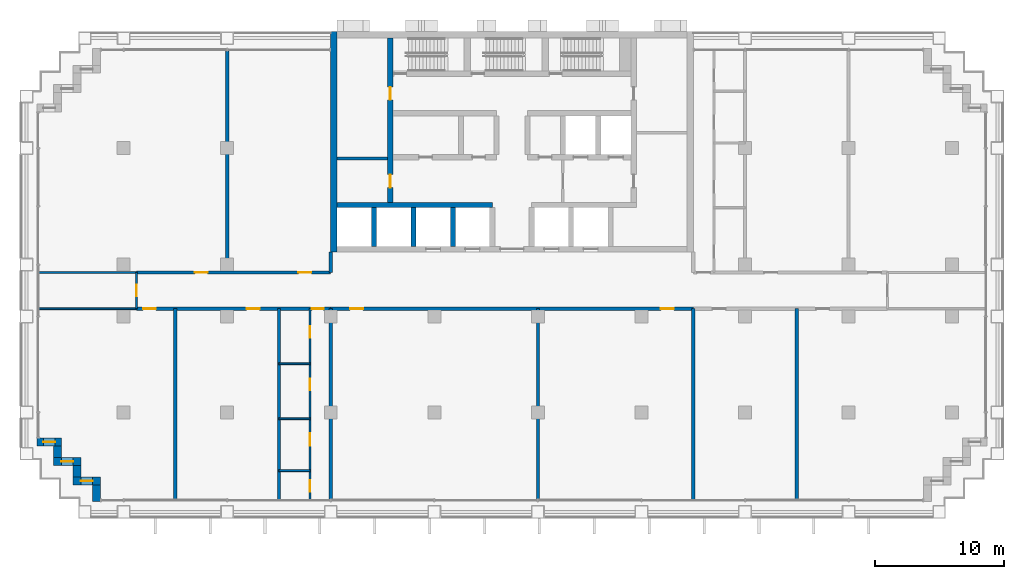
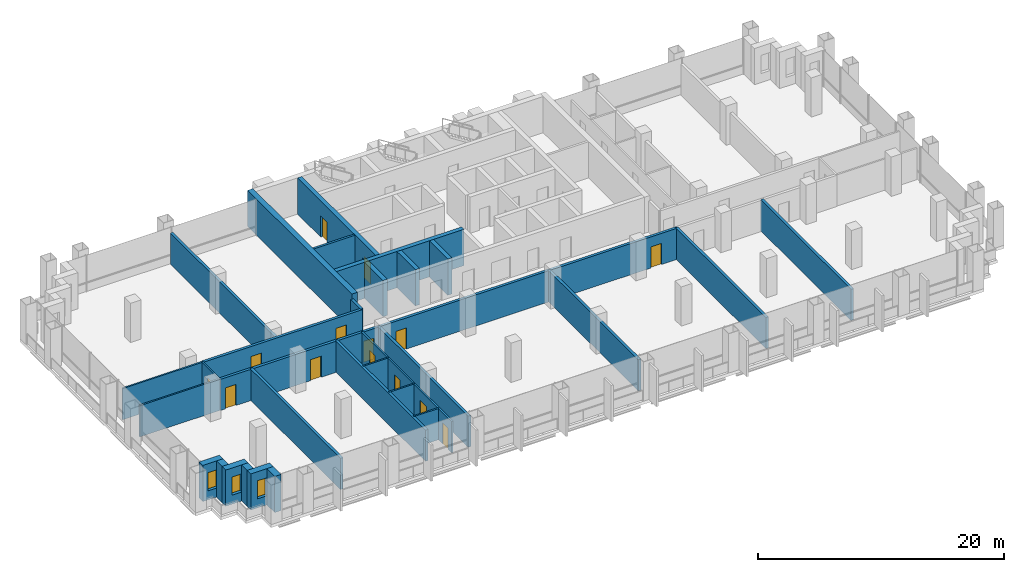
# One storey, part 7 of 13: 31 walls, 14 doors, 3 windows, 17 openings.
"""IFC4 building model written with IfcOpenShell, lengths in metres."""

from ifc_helpers import new_model, si_unit, direction, frame, frame_2d, origin, place, context, subcontext, project, spatial, rectangle, extrude, material, layer, layer_set, type_object, element, fill, save


model = new_model("IFC4")

# Units and contexts
model_context = context("Model", 3, precision=1e-05, world=origin(), true_north=direction((0.0, 1.0)))
body_context = subcontext(model_context, "Body", "Model", "MODEL_VIEW")
ifc_project = project(units=[si_unit("LENGTHUNIT", "METRE"), si_unit("AREAUNIT", "SQUARE_METRE"), si_unit("VOLUMEUNIT", "CUBIC_METRE"), si_unit("PLANEANGLEUNIT", "RADIAN"), si_unit("MASSUNIT", "GRAM", prefix="KILO")], contexts=[model_context])

# Site, building, storey
site_placement = place(None, origin())
site = spatial("IfcSite", under=ifc_project, at=site_placement, CompositionType="ELEMENT")
building_placement = place(site_placement, origin())
building = spatial("IfcBuilding", under=site, at=building_placement, Name="Vidyagriha Tower", CompositionType="ELEMENT")
storey_placement = place(building_placement, frame((0.0, 0.0, 29.89990234375)))
storey = spatial("IfcBuildingStorey", under=building, at=storey_placement, Name="L07", CompositionType="ELEMENT", Elevation=29.89990234375)

# Wall, opening, window
ifc_material_1 = material(Name="Precast concrete C40/50 with brick facing", Category="concrete")
ifc_layer_1 = layer(ifc_material_1, 0.60009765625)
ifc_layer_set_1 = layer_set([ifc_layer_1], Name="Precast concrete C40/50 with brick facing")
wall_type_1 = type_object("IfcWallType", Name="Brick-faced precast wall 600", PredefinedType="STANDARD", material=ifc_layer_set_1)
wall_1_placement = place(storey_placement, frame((-36.679931640625, -11.699951171875, 0.0)))
wall_1 = element("IfcWall", 1, at=wall_1_placement, inside=storey, type_object=wall_type_1, Name="Stepped corner wall L07 R17", PredefinedType="STANDARD", context=body_context, shape_type="SweptSolid", body=[
    extrude(rectangle(XDim=1.8798828125, YDim=0.60009765625, at=frame_2d((0.93994140625, 0.0))), origin(), (0.0, 0.0, 1.0), 3.60009765625),
])
opening_1_placement = place(wall_1_placement, frame((0.489990234375, 0.0, 0.89990234375)))
opening_1 = element("IfcOpeningElement", 2, at=opening_1_placement, cuts=wall_1, Name="Opening WN2", PredefinedType="OPENING", context=body_context, shape_type="SweptSolid", body=[
    extrude(rectangle(XDim=0.89990234375, YDim=1.800048828125, at=frame_2d((0.449951171875, 0.89990234375))), frame((0.0, 0.31005859375, 0.0), z_axis=(0.0, -1.0, 0.0), x_axis=(1.0, 0.0, 0.0)), (0.0, 0.0, 1.0), 0.6201171875),
])
ifc_material_2 = material(Name="Aluminium and glass window", Category="aluminium")
window_type = type_object("IfcWindowType", Name="Reveal window 900x1800", PartitioningType="NOTDEFINED", PredefinedType="WINDOW", material=ifc_material_2)
window_1_placement = place(opening_1_placement, origin())
window_1 = element("IfcWindow", 3, at=window_1_placement, inside=storey, type_object=window_type, Name="Reveal window L07 R17", OverallHeight=1.800048828125, OverallWidth=0.89990234375, PartitioningType="SINGLE_PANEL", PredefinedType="WINDOW", context=body_context, shape_type="SweptSolid", body=[
    extrude(rectangle(XDim=0.89990234375, YDim=1.800048828125, at=frame_2d((0.449951171875, 0.89990234375))), frame((0.0, 0.030029296875, 0.0), z_axis=(0.0, -1.0, 0.0), x_axis=(1.0, 0.0, 0.0)), (0.0, 0.0, 1.0), 0.06005859375),
])
fill(opening_1, window_1)

# Wall
wall_2_placement = place(storey_placement, frame((-35.10009765625, -12.0, 0.0), z_axis=(0.0, 0.0, 1.0), x_axis=(0.0, -1.0, 0.0)))
element("IfcWall", 4, at=wall_2_placement, inside=storey, type_object=wall_type_1, Name="Stepped corner wall L07 R18", PredefinedType="STANDARD", context=body_context, shape_type="SweptSolid", body=[
    extrude(rectangle(XDim=0.89990234375, YDim=0.60009765625, at=frame_2d((0.449951171875, 0.0))), origin(), (0.0, 0.0, 1.0), 3.60009765625),
])

# Wall, opening, window
wall_3_placement = place(storey_placement, frame((-35.39990234375, -13.199951171875, 0.0)))
wall_3 = element("IfcWall", 5, at=wall_3_placement, inside=storey, type_object=wall_type_1, Name="Stepped corner wall L07 R19", PredefinedType="STANDARD", context=body_context, shape_type="SweptSolid", body=[
    extrude(rectangle(XDim=2.099853515625, YDim=0.60009765625, at=frame_2d((1.0498046875, 0.0))), origin(), (0.0, 0.0, 1.0), 3.60009765625),
])
opening_2_placement = place(wall_3_placement, frame((0.60009765625, 0.0, 0.89990234375)))
opening_2 = element("IfcOpeningElement", 6, at=opening_2_placement, cuts=wall_3, Name="Opening WN2", PredefinedType="OPENING", context=body_context, shape_type="SweptSolid", body=[
    extrude(rectangle(XDim=0.89990234375, YDim=1.800048828125, at=frame_2d((0.449951171875, 0.89990234375))), frame((0.0, 0.31005859375, 0.0), z_axis=(0.0, -1.0, 0.0), x_axis=(1.0, 0.0, 0.0)), (0.0, 0.0, 1.0), 0.6201171875),
])
window_2_placement = place(opening_2_placement, origin())
window_2 = element("IfcWindow", 7, at=window_2_placement, inside=storey, type_object=window_type, Name="Reveal window L07 R19", OverallHeight=1.800048828125, OverallWidth=0.89990234375, PartitioningType="SINGLE_PANEL", PredefinedType="WINDOW", context=body_context, shape_type="SweptSolid", body=[
    extrude(rectangle(XDim=0.89990234375, YDim=1.800048828125, at=frame_2d((0.449951171875, 0.89990234375))), frame((0.0, 0.030029296875, 0.0), z_axis=(0.0, -1.0, 0.0), x_axis=(1.0, 0.0, 0.0)), (0.0, 0.0, 1.0), 0.06005859375),
])
fill(opening_2, window_2)

# Wall
wall_4_placement = place(storey_placement, frame((-33.60009765625, -13.5, 0.0), z_axis=(0.0, 0.0, 1.0), x_axis=(0.0, -1.0, 0.0)))
element("IfcWall", 8, at=wall_4_placement, inside=storey, type_object=wall_type_1, Name="Stepped corner wall L07 R20", PredefinedType="STANDARD", context=body_context, shape_type="SweptSolid", body=[
    extrude(rectangle(XDim=0.89990234375, YDim=0.60009765625, at=frame_2d((0.449951171875, 0.0))), origin(), (0.0, 0.0, 1.0), 3.60009765625),
])

# Wall, opening, window
wall_5_placement = place(storey_placement, frame((-33.89990234375, -14.699951171875, 0.0)))
wall_5 = element("IfcWall", 9, at=wall_5_placement, inside=storey, type_object=wall_type_1, Name="Stepped corner wall L07 R21", PredefinedType="STANDARD", context=body_context, shape_type="SweptSolid", body=[
    extrude(rectangle(XDim=2.099853515625, YDim=0.60009765625, at=frame_2d((1.0498046875, 0.0))), origin(), (0.0, 0.0, 1.0), 3.60009765625),
])
opening_3_placement = place(wall_5_placement, frame((0.60009765625, 0.0, 0.89990234375)))
opening_3 = element("IfcOpeningElement", 10, at=opening_3_placement, cuts=wall_5, Name="Opening WN2", PredefinedType="OPENING", context=body_context, shape_type="SweptSolid", body=[
    extrude(rectangle(XDim=0.89990234375, YDim=1.800048828125, at=frame_2d((0.449951171875, 0.89990234375))), frame((0.0, 0.31005859375, 0.0), z_axis=(0.0, -1.0, 0.0), x_axis=(1.0, 0.0, 0.0)), (0.0, 0.0, 1.0), 0.6201171875),
])
window_3_placement = place(opening_3_placement, origin())
window_3 = element("IfcWindow", 11, at=window_3_placement, inside=storey, type_object=window_type, Name="Reveal window L07 R21", OverallHeight=1.800048828125, OverallWidth=0.89990234375, PartitioningType="SINGLE_PANEL", PredefinedType="WINDOW", context=body_context, shape_type="SweptSolid", body=[
    extrude(rectangle(XDim=0.89990234375, YDim=1.800048828125, at=frame_2d((0.449951171875, 0.89990234375))), frame((0.0, 0.030029296875, 0.0), z_axis=(0.0, -1.0, 0.0), x_axis=(1.0, 0.0, 0.0)), (0.0, 0.0, 1.0), 0.06005859375),
])
fill(opening_3, window_3)

# Wall
wall_6_placement = place(storey_placement, frame((-32.10009765625, -15.0, 0.0), z_axis=(0.0, 0.0, 1.0), x_axis=(0.0, -1.0, 0.0)))
element("IfcWall", 12, at=wall_6_placement, inside=storey, type_object=wall_type_1, Name="Stepped corner wall L07 R22", PredefinedType="STANDARD", context=body_context, shape_type="SweptSolid", body=[
    extrude(rectangle(XDim=1.280029296875, YDim=0.60009765625, at=frame_2d((0.64013671875, 0.0))), origin(), (0.0, 0.0, 1.0), 3.60009765625),
])

# Wall, openings, doors
ifc_material_3 = material(Name="Concrete C60/75", Category="concrete")
ifc_layer_2 = layer(ifc_material_3, 0.39990234375)
ifc_layer_set_2 = layer_set([ifc_layer_2], Name="Concrete C60/75")
wall_type_2 = type_object("IfcWallType", Name="Core shear wall 400 mm", PredefinedType="SHEAR", material=ifc_layer_set_2)
wall_7_placement = place(storey_placement, frame((-9.39990234375, 6.800048828125, 0.0), z_axis=(0.0, 0.0, 1.0), x_axis=(0.0, 1.0, 0.0)))
wall_7 = element("IfcWall", 13, at=wall_7_placement, inside=storey, type_object=wall_type_2, Name="Core west spine wall", PredefinedType="SHEAR", context=body_context, shape_type="SweptSolid", body=[
    extrude(rectangle(XDim=12.699951171875, YDim=0.39990234375, at=frame_2d((6.35009765625, 0.0))), origin(), (0.0, 0.0, 1.0), 3.60009765625),
])
opening_4_placement = place(wall_7_placement, frame((1.14990234375, 0.0, 0.0)))
opening_4 = element("IfcOpeningElement", 14, at=opening_4_placement, cuts=wall_7, Name="Opening D07-09", PredefinedType="OPENING", context=body_context, shape_type="SweptSolid", body=[
    extrude(rectangle(XDim=1.0, YDim=2.10009765625, at=frame_2d((0.5, 1.050048828125))), frame((0.0, 0.2099609375, 0.0), z_axis=(0.0, -1.0, 0.0), x_axis=(1.0, 0.0, 0.0)), (0.0, 0.0, 1.0), 0.419921875),
])
opening_5_placement = place(wall_7_placement, frame((7.925048828125, 0.0, 0.0)))
opening_5 = element("IfcOpeningElement", 15, at=opening_5_placement, cuts=wall_7, Name="Opening D07-10", PredefinedType="OPENING", context=body_context, shape_type="SweptSolid", body=[
    extrude(rectangle(XDim=1.0, YDim=2.10009765625, at=frame_2d((0.5, 1.050048828125))), frame((0.0, 0.2099609375, 0.0), z_axis=(0.0, -1.0, 0.0), x_axis=(1.0, 0.0, 0.0)), (0.0, 0.0, 1.0), 0.419921875),
])
ifc_material_4 = material(Name="Hollow metal door leaf")
door_type_1 = type_object("IfcDoorType", Name="Core room door 1000 x 2100 mm EI 60", OperationType="NOTDEFINED", PredefinedType="DOOR", material=ifc_material_4)
door_1_placement = place(opening_4_placement, frame((1.0, 0.0, 0.0), z_axis=(0.0, 0.0, 1.0), x_axis=(-1.0, 0.0, 0.0)))
door_1 = element("IfcDoor", 16, at=door_1_placement, inside=storey, type_object=door_type_1, Name="Door Electrical Room 07.W1", OperationType="SINGLE_SWING_RIGHT", OverallHeight=2.10009765625, OverallWidth=1.0, PredefinedType="DOOR", context=body_context, shape_type="SweptSolid", body=[
    extrude(rectangle(XDim=1.0, YDim=2.10009765625, at=frame_2d((0.5, 1.050048828125))), frame((0.0, 0.02490234375, 0.0), z_axis=(0.0, -1.0, 0.0), x_axis=(1.0, 0.0, 0.0)), (0.0, 0.0, 1.0), 0.050048828125),
])
fill(opening_4, door_1)
door_2_placement = place(opening_5_placement, frame((1.0, 0.0, 0.0), z_axis=(0.0, 0.0, 1.0), x_axis=(-1.0, 0.0, 0.0)))
door_2 = element("IfcDoor", 17, at=door_2_placement, inside=storey, type_object=door_type_1, Name="Door Refuse Room 07.W2", OperationType="SINGLE_SWING_LEFT", OverallHeight=2.10009765625, OverallWidth=1.0, PredefinedType="DOOR", context=body_context, shape_type="SweptSolid", body=[
    extrude(rectangle(XDim=1.0, YDim=2.10009765625, at=frame_2d((0.5, 1.050048828125))), frame((0.0, 0.02490234375, 0.0), z_axis=(0.0, -1.0, 0.0), x_axis=(1.0, 0.0, 0.0)), (0.0, 0.0, 1.0), 0.050048828125),
])
fill(opening_5, door_2)

# Walls
wall_8_placement = place(storey_placement, frame((-13.5, 6.60009765625, 0.0)))
element("IfcWall", 18, at=wall_8_placement, inside=storey, type_object=wall_type_2, Name="Core lobby south wall west", PredefinedType="SHEAR", context=body_context, shape_type="SweptSolid", body=[
    extrude(rectangle(XDim=11.977783203125, YDim=0.39990234375, at=frame_2d((5.98876953125, 0.0))), origin(), (0.0, 0.0, 1.0), 3.60009765625),
])
for number, where, z_axis, x_axis, name in (
    (19, (-10.655517578125, 3.39990234375, 0.0), (0.0, 0.0, 1.0), (0.0, 1.0, 0.0), "Core bay wall S1"),
    (20, (-7.611083984375, 3.39990234375, 0.0), (0.0, 0.0, 1.0), (0.0, 1.0, 0.0), "Core bay wall S2"),
    (21, (-4.566650390625, 3.39990234375, 0.0), (0.0, 0.0, 1.0), (0.0, 1.0, 0.0), "Core bay wall S3"),
):
    element("IfcWall", number, at=place(storey_placement, frame(where, z_axis=z_axis, x_axis=x_axis)), inside=storey, type_object=wall_type_2, Name=name, PredefinedType="SHEAR", context=body_context, shape_type="SweptSolid", body=[
        extrude(rectangle(XDim=3.0, YDim=0.39990234375, at=frame_2d((1.5, 0.0))), origin(), (0.0, 0.0, 1.0), 3.60009765625),
    ])
ifc_material_5 = material(Name="Concrete C60/75", Category="concrete")
ifc_layer_3 = layer(ifc_material_5, 0.5)
ifc_layer_set_3 = layer_set([ifc_layer_3], Name="Concrete C60/75")
wall_type_3 = type_object("IfcWallType", Name="Core shear wall 500 mm", PredefinedType="SHEAR", material=ifc_layer_set_3)
wall_9_placement = place(storey_placement, frame((-13.75, 3.0, 0.0), z_axis=(0.0, 0.0, 1.0), x_axis=(0.0, 1.0, 0.0)))
element("IfcWall", 22, at=wall_9_placement, inside=storey, type_object=wall_type_3, Name="Core west wall", PredefinedType="SHEAR", context=body_context, shape_type="SweptSolid", body=[
    extrude(rectangle(XDim=17.0, YDim=0.5, at=frame_2d((8.5, 0.0))), origin(), (0.0, 0.0, 1.0), 3.60009765625),
])

# Wall, openings, doors
ifc_material_6 = material(Name="Fired clay brick masonry", Category="masonry")
ifc_layer_4 = layer(ifc_material_6, 0.25)
ifc_layer_set_4 = layer_set([ifc_layer_4], Name="Fired clay brick masonry")
wall_type_4 = type_object("IfcWallType", Name="Fired clay brick corridor wall 250", PredefinedType="PARTITIONING", material=ifc_layer_set_4)
wall_10_placement = place(storey_placement, frame((-14.0, -1.39990234375, 0.0), z_axis=(0.0, 0.0, 1.0), x_axis=(-1.0, 0.0, 0.0)))
wall_10 = element("IfcWall", 23, at=wall_10_placement, inside=storey, type_object=wall_type_4, Name="Wall all-L07-w001", PredefinedType="PARTITIONING", context=body_context, shape_type="SweptSolid", body=[
    extrude(rectangle(XDim=15.0, YDim=0.25, at=frame_2d((7.5, 0.0))), origin(), (0.0, 0.0, 1.0), 3.10009765625),
])
opening_6_placement = place(wall_10_placement, frame((0.554931640625, 0.0, 0.0)))
opening_6 = element("IfcOpeningElement", 24, at=opening_6_placement, cuts=wall_10, Name="Opening D07-17", PredefinedType="OPENING", context=body_context, shape_type="SweptSolid", body=[
    extrude(rectangle(XDim=0.89990234375, YDim=2.10009765625, at=frame_2d((0.449951171875, 1.050048828125))), frame((0.0, 0.135009765625, 0.0), z_axis=(0.0, -1.0, 0.0), x_axis=(1.0, 0.0, 0.0)), (0.0, 0.0, 1.0), 0.27001953125),
])
opening_7_placement = place(wall_10_placement, frame((5.5, 0.0, 0.0)))
opening_7 = element("IfcOpeningElement", 25, at=opening_7_placement, cuts=wall_10, Name="Opening D07-18", PredefinedType="OPENING", context=body_context, shape_type="SweptSolid", body=[
    extrude(rectangle(XDim=1.0, YDim=2.10009765625, at=frame_2d((0.5, 1.050048828125))), frame((0.0, 0.135009765625, 0.0), z_axis=(0.0, -1.0, 0.0), x_axis=(1.0, 0.0, 0.0)), (0.0, 0.0, 1.0), 0.27001953125),
])
opening_8_placement = place(wall_10_placement, frame((13.5, 0.0, 0.0)))
opening_8 = element("IfcOpeningElement", 26, at=opening_8_placement, cuts=wall_10, Name="Opening D07-19", PredefinedType="OPENING", context=body_context, shape_type="SweptSolid", body=[
    extrude(rectangle(XDim=1.0, YDim=2.10009765625, at=frame_2d((0.5, 1.050048828125))), frame((0.0, 0.135009765625, 0.0), z_axis=(0.0, -1.0, 0.0), x_axis=(1.0, 0.0, 0.0)), (0.0, 0.0, 1.0), 0.27001953125),
])
ifc_material_7 = material(Name="Fire-rated timber door leaf EI 60", Category="wood")
door_type_2 = type_object("IfcDoorType", Name="Flat entrance fire door 1000x2100", OperationType="NOTDEFINED", PredefinedType="DOOR", material=ifc_material_7)
door_3_placement = place(opening_7_placement, origin())
door_3 = element("IfcDoor", 27, at=door_3_placement, inside=storey, type_object=door_type_2, Name="Door D07-18", OperationType="SINGLE_SWING_LEFT", OverallHeight=2.10009765625, OverallWidth=1.0, PredefinedType="DOOR", context=body_context, shape_type="SweptSolid", body=[
    extrude(rectangle(XDim=1.0, YDim=2.10009765625, at=frame_2d((0.5, 1.050048828125))), frame((0.0, 0.02490234375, 0.0), z_axis=(0.0, -1.0, 0.0), x_axis=(1.0, 0.0, 0.0)), (0.0, 0.0, 1.0), 0.050048828125),
])
fill(opening_7, door_3)
door_4_placement = place(opening_8_placement, origin())
door_4 = element("IfcDoor", 28, at=door_4_placement, inside=storey, type_object=door_type_2, Name="Door D07-19", OperationType="SINGLE_SWING_LEFT", OverallHeight=2.10009765625, OverallWidth=1.0, PredefinedType="DOOR", context=body_context, shape_type="SweptSolid", body=[
    extrude(rectangle(XDim=1.0, YDim=2.10009765625, at=frame_2d((0.5, 1.050048828125))), frame((0.0, 0.02490234375, 0.0), z_axis=(0.0, -1.0, 0.0), x_axis=(1.0, 0.0, 0.0)), (0.0, 0.0, 1.0), 0.050048828125),
])
fill(opening_8, door_4)
ifc_material_8 = material(Name="Fire-rated timber door leaf EI 60", Category="wood")
door_type_3 = type_object("IfcDoorType", Name="Flat entrance fire door 900x2100", OperationType="NOTDEFINED", PredefinedType="DOOR", material=ifc_material_8)
door_5_placement = place(opening_6_placement, origin())
door_5 = element("IfcDoor", 29, at=door_5_placement, inside=storey, type_object=door_type_3, Name="Door D07-17", OperationType="SINGLE_SWING_RIGHT", OverallHeight=2.10009765625, OverallWidth=0.89990234375, PredefinedType="DOOR", context=body_context, shape_type="SweptSolid", body=[
    extrude(rectangle(XDim=0.89990234375, YDim=2.10009765625, at=frame_2d((0.449951171875, 1.050048828125))), frame((0.0, 0.02490234375, 0.0), z_axis=(0.0, -1.0, 0.0), x_axis=(1.0, 0.0, 0.0)), (0.0, 0.0, 1.0), 0.050048828125),
])
fill(opening_6, door_5)

wall_11_placement = place(storey_placement, frame((-29.0, 1.39990234375, 0.0)))
wall_11 = element("IfcWall", 30, at=wall_11_placement, inside=storey, type_object=wall_type_4, Name="Wall all-L07-w019", PredefinedType="PARTITIONING", context=body_context, shape_type="SweptSolid", body=[
    extrude(rectangle(XDim=15.0, YDim=0.25, at=frame_2d((7.5, 0.0))), origin(), (0.0, 0.0, 1.0), 3.10009765625),
])
opening_9_placement = place(wall_11_placement, frame((12.5, 0.0, 0.0)))
opening_9 = element("IfcOpeningElement", 31, at=opening_9_placement, cuts=wall_11, Name="Opening D07-21", PredefinedType="OPENING", context=body_context, shape_type="SweptSolid", body=[
    extrude(rectangle(XDim=1.0, YDim=2.10009765625, at=frame_2d((0.5, 1.050048828125))), frame((0.0, 0.135009765625, 0.0), z_axis=(0.0, -1.0, 0.0), x_axis=(1.0, 0.0, 0.0)), (0.0, 0.0, 1.0), 0.27001953125),
])
opening_10_placement = place(wall_11_placement, frame((4.5, 0.0, 0.0)))
opening_10 = element("IfcOpeningElement", 32, at=opening_10_placement, cuts=wall_11, Name="Opening D07-22", PredefinedType="OPENING", context=body_context, shape_type="SweptSolid", body=[
    extrude(rectangle(XDim=1.0, YDim=2.10009765625, at=frame_2d((0.5, 1.050048828125))), frame((0.0, 0.135009765625, 0.0), z_axis=(0.0, -1.0, 0.0), x_axis=(1.0, 0.0, 0.0)), (0.0, 0.0, 1.0), 0.27001953125),
])
door_6_placement = place(opening_9_placement, origin())
door_6 = element("IfcDoor", 33, at=door_6_placement, inside=storey, type_object=door_type_2, Name="Door D07-21", OperationType="SINGLE_SWING_RIGHT", OverallHeight=2.10009765625, OverallWidth=1.0, PredefinedType="DOOR", context=body_context, shape_type="SweptSolid", body=[
    extrude(rectangle(XDim=1.0, YDim=2.10009765625, at=frame_2d((0.5, 1.050048828125))), frame((0.0, 0.02490234375, 0.0), z_axis=(0.0, -1.0, 0.0), x_axis=(1.0, 0.0, 0.0)), (0.0, 0.0, 1.0), 0.050048828125),
])
fill(opening_9, door_6)
door_7_placement = place(opening_10_placement, origin())
door_7 = element("IfcDoor", 34, at=door_7_placement, inside=storey, type_object=door_type_2, Name="Door D07-22", OperationType="SINGLE_SWING_RIGHT", OverallHeight=2.10009765625, OverallWidth=1.0, PredefinedType="DOOR", context=body_context, shape_type="SweptSolid", body=[
    extrude(rectangle(XDim=1.0, YDim=2.10009765625, at=frame_2d((0.5, 1.050048828125))), frame((0.0, 0.02490234375, 0.0), z_axis=(0.0, -1.0, 0.0), x_axis=(1.0, 0.0, 0.0)), (0.0, 0.0, 1.0), 0.050048828125),
])
fill(opening_10, door_7)

wall_12_placement = place(storey_placement, frame((14.0, -1.39990234375, 0.0), z_axis=(0.0, 0.0, 1.0), x_axis=(-1.0, 0.0, 0.0)))
wall_12 = element("IfcWall", 35, at=wall_12_placement, inside=storey, type_object=wall_type_4, Name="Wall all-L07-w050", PredefinedType="PARTITIONING", context=body_context, shape_type="SweptSolid", body=[
    extrude(rectangle(XDim=28.0, YDim=0.25, at=frame_2d((14.0, 0.0))), origin(), (0.0, 0.0, 1.0), 3.10009765625),
])
opening_11_placement = place(wall_12_placement, frame((25.5, 0.0, 0.0)))
opening_11 = element("IfcOpeningElement", 36, at=opening_11_placement, cuts=wall_12, Name="Opening D07-33", PredefinedType="OPENING", context=body_context, shape_type="SweptSolid", body=[
    extrude(rectangle(XDim=1.0, YDim=2.10009765625, at=frame_2d((0.5, 1.050048828125))), frame((0.0, 0.135009765625, 0.0), z_axis=(0.0, -1.0, 0.0), x_axis=(1.0, 0.0, 0.0)), (0.0, 0.0, 1.0), 0.27001953125),
])
opening_12_placement = place(wall_12_placement, frame((1.5, 0.0, 0.0)))
opening_12 = element("IfcOpeningElement", 37, at=opening_12_placement, cuts=wall_12, Name="Opening D07-34", PredefinedType="OPENING", context=body_context, shape_type="SweptSolid", body=[
    extrude(rectangle(XDim=1.0, YDim=2.10009765625, at=frame_2d((0.5, 1.050048828125))), frame((0.0, 0.135009765625, 0.0), z_axis=(0.0, -1.0, 0.0), x_axis=(1.0, 0.0, 0.0)), (0.0, 0.0, 1.0), 0.27001953125),
])
door_8_placement = place(opening_11_placement, origin())
door_8 = element("IfcDoor", 38, at=door_8_placement, inside=storey, type_object=door_type_2, Name="Door D07-33", OperationType="SINGLE_SWING_RIGHT", OverallHeight=2.10009765625, OverallWidth=1.0, PredefinedType="DOOR", context=body_context, shape_type="SweptSolid", body=[
    extrude(rectangle(XDim=1.0, YDim=2.10009765625, at=frame_2d((0.5, 1.050048828125))), frame((0.0, 0.02490234375, 0.0), z_axis=(0.0, -1.0, 0.0), x_axis=(1.0, 0.0, 0.0)), (0.0, 0.0, 1.0), 0.050048828125),
])
fill(opening_11, door_8)
door_9_placement = place(opening_12_placement, origin())
door_9 = element("IfcDoor", 39, at=door_9_placement, inside=storey, type_object=door_type_2, Name="Door D07-34", OperationType="SINGLE_SWING_LEFT", OverallHeight=2.10009765625, OverallWidth=1.0, PredefinedType="DOOR", context=body_context, shape_type="SweptSolid", body=[
    extrude(rectangle(XDim=1.0, YDim=2.10009765625, at=frame_2d((0.5, 1.050048828125))), frame((0.0, 0.02490234375, 0.0), z_axis=(0.0, -1.0, 0.0), x_axis=(1.0, 0.0, 0.0)), (0.0, 0.0, 1.0), 0.050048828125),
])
fill(opening_12, door_9)

# Walls
wall_13_placement = place(storey_placement, frame((-14.0, 3.0, 0.0), z_axis=(0.0, 0.0, 1.0), x_axis=(0.0, -1.0, 0.0)))
element("IfcWall", 40, at=wall_13_placement, inside=storey, type_object=wall_type_4, Name="Wall all-L07-w051", PredefinedType="PARTITIONING", context=body_context, shape_type="SweptSolid", body=[
    extrude(rectangle(XDim=1.60009765625, YDim=0.25, at=frame_2d((0.800048828125, 0.0))), origin(), (0.0, 0.0, 1.0), 3.10009765625),
])
ifc_material_9 = material(Name="Fired clay brick masonry", Category="masonry")
ifc_layer_5 = layer(ifc_material_9, 0.25)
ifc_layer_set_5 = layer_set([ifc_layer_5], Name="Fired clay brick masonry")
wall_type_5 = type_object("IfcWallType", Name="Fired clay brick demising wall 250", PredefinedType="PARTITIONING", material=ifc_layer_set_5)
for number, where, z_axis, x_axis, name in (
    (41, (-26.0, -1.39990234375, 0.0), (0.0, 0.0, 1.0), (0.0, -1.0, 0.0), "Wall all-L07-w016"),
    (42, (-18.0, -1.39990234375, 0.0), (0.0, 0.0, 1.0), (0.0, -1.0, 0.0), "Wall all-L07-w017"),
    (43, (-14.0, -1.39990234375, 0.0), (0.0, 0.0, 1.0), (0.0, -1.0, 0.0), "Wall all-L07-w018"),
):
    element("IfcWall", number, at=place(storey_placement, frame(where, z_axis=z_axis, x_axis=x_axis)), inside=storey, type_object=wall_type_5, Name=name, PredefinedType="PARTITIONING", context=body_context, shape_type="SweptSolid", body=[
        extrude(rectangle(XDim=14.72119140625, YDim=0.25, at=frame_2d((7.360595703125, 0.0))), origin(), (0.0, 0.0, 1.0), 3.10009765625),
    ])
wall_14_placement = place(storey_placement, frame((-22.0, 18.52099609375, 0.0), z_axis=(0.0, 0.0, 1.0), x_axis=(0.0, -1.0, 0.0)))
element("IfcWall", 44, at=wall_14_placement, inside=storey, type_object=wall_type_5, Name="Wall all-L07-w023", PredefinedType="PARTITIONING", context=body_context, shape_type="SweptSolid", body=[
    extrude(rectangle(XDim=17.12109375, YDim=0.25, at=frame_2d((8.560546875, 0.0))), origin(), (0.0, 0.0, 1.0), 3.10009765625),
])
for number, where, z_axis, x_axis, name in (
    (45, (14.0, -1.39990234375, 0.0), (0.0, 0.0, 1.0), (0.0, -1.0, 0.0), "Wall all-L07-w030"),
    (46, (22.0, -1.39990234375, 0.0), (0.0, 0.0, 1.0), (0.0, -1.0, 0.0), "Wall all-L07-w031"),
    (47, (2.0, -1.39990234375, 0.0), (0.0, 0.0, 1.0), (0.0, -1.0, 0.0), "Wall all-L07-w049"),
):
    element("IfcWall", number, at=place(storey_placement, frame(where, z_axis=z_axis, x_axis=x_axis)), inside=storey, type_object=wall_type_5, Name=name, PredefinedType="PARTITIONING", context=body_context, shape_type="SweptSolid", body=[
        extrude(rectangle(XDim=14.72119140625, YDim=0.25, at=frame_2d((7.360595703125, 0.0))), origin(), (0.0, 0.0, 1.0), 3.10009765625),
    ])
ifc_material_10 = material(Name="Gypsum board partition")
ifc_layer_6 = layer(ifc_material_10, 0.14990234375)
ifc_layer_set_6 = layer_set([ifc_layer_6], Name="Gypsum board partition")
wall_type_6 = type_object("IfcWallType", Name="Gypsum board partition 150", PredefinedType="PARTITIONING", material=ifc_layer_set_6)
wall_15_placement = place(storey_placement, frame((-29.0, -1.39990234375, 0.0), z_axis=(0.0, 0.0, 1.0), x_axis=(-1.0, 0.0, 0.0)))
element("IfcWall", 48, at=wall_15_placement, inside=storey, type_object=wall_type_6, Name="Wall all-L07-w002", PredefinedType="PARTITIONING", context=body_context, shape_type="SweptSolid", body=[
    extrude(rectangle(XDim=7.530029296875, YDim=0.14990234375, at=frame_2d((3.76513671875, 0.0))), origin(), (0.0, 0.0, 1.0), 3.10009765625),
])

# Wall, opening, door
wall_16_placement = place(storey_placement, frame((-29.0, 1.39990234375, 0.0), z_axis=(0.0, 0.0, 1.0), x_axis=(0.0, -1.0, 0.0)))
wall_16 = element("IfcWall", 49, at=wall_16_placement, inside=storey, type_object=wall_type_6, Name="Wall all-L07-w003", PredefinedType="PARTITIONING", context=body_context, shape_type="SweptSolid", body=[
    extrude(rectangle(XDim=2.7998046875, YDim=0.14990234375, at=frame_2d((1.39990234375, 0.0))), origin(), (0.0, 0.0, 1.0), 3.10009765625),
])
opening_13_placement = place(wall_16_placement, frame((0.949951171875, 0.0, 0.0)))
opening_13 = element("IfcOpeningElement", 50, at=opening_13_placement, cuts=wall_16, Name="Opening D07-20", PredefinedType="OPENING", context=body_context, shape_type="SweptSolid", body=[
    extrude(rectangle(XDim=0.89990234375, YDim=2.10009765625, at=frame_2d((0.449951171875, 1.050048828125))), frame((0.0, 0.0849609375, 0.0), z_axis=(0.0, -1.0, 0.0), x_axis=(1.0, 0.0, 0.0)), (0.0, 0.0, 1.0), 0.169921875),
])
ifc_material_11 = material(Name="Timber door leaf", Category="wood")
door_type_4 = type_object("IfcDoorType", Name="Room door 900x2100", OperationType="NOTDEFINED", PredefinedType="DOOR", material=ifc_material_11)
door_10_placement = place(opening_13_placement, origin())
door_10 = element("IfcDoor", 51, at=door_10_placement, inside=storey, type_object=door_type_4, Name="Door D07-20", OperationType="SINGLE_SWING_RIGHT", OverallHeight=2.10009765625, OverallWidth=0.89990234375, PredefinedType="DOOR", context=body_context, shape_type="SweptSolid", body=[
    extrude(rectangle(XDim=0.89990234375, YDim=2.10009765625, at=frame_2d((0.449951171875, 1.050048828125))), frame((0.0, 0.02490234375, 0.0), z_axis=(0.0, -1.0, 0.0), x_axis=(1.0, 0.0, 0.0)), (0.0, 0.0, 1.0), 0.050048828125),
])
fill(opening_13, door_10)

# Walls
for number, where, z_axis, x_axis, name in (
    (52, (-15.60009765625, -5.64990234375, 0.0), (0.0, 0.0, 1.0), (-1.0, 0.0, 0.0), "Wall all-L07-w006"),
    (53, (-15.60009765625, -9.89990234375, 0.0), (0.0, 0.0, 1.0), (-1.0, 0.0, 0.0), "Wall all-L07-w008"),
    (54, (-15.60009765625, -13.89990234375, 0.0), (0.0, 0.0, 1.0), (-1.0, 0.0, 0.0), "Wall all-L07-w010"),
):
    element("IfcWall", number, at=place(storey_placement, frame(where, z_axis=z_axis, x_axis=x_axis)), inside=storey, type_object=wall_type_6, Name=name, PredefinedType="PARTITIONING", context=body_context, shape_type="SweptSolid", body=[
        extrude(rectangle(XDim=2.39990234375, YDim=0.14990234375, at=frame_2d((1.199951171875, 0.0))), origin(), (0.0, 0.0, 1.0), 3.10009765625),
    ])
wall_17_placement = place(storey_placement, frame((-36.530029296875, 1.39990234375, 0.0)))
element("IfcWall", 55, at=wall_17_placement, inside=storey, type_object=wall_type_6, Name="Wall all-L07-w020", PredefinedType="PARTITIONING", context=body_context, shape_type="SweptSolid", body=[
    extrude(rectangle(XDim=7.530029296875, YDim=0.14990234375, at=frame_2d((3.76513671875, 0.0))), origin(), (0.0, 0.0, 1.0), 3.10009765625),
])

# Wall, openings, doors
ifc_material_12 = material(Name="Moisture resistant gypsum board partition")
ifc_layer_7 = layer(ifc_material_12, 0.14990234375)
ifc_layer_set_7 = layer_set([ifc_layer_7], Name="Moisture resistant gypsum board partition")
wall_type_7 = type_object("IfcWallType", Name="Gypsum board wet-area partition 150", PredefinedType="PARTITIONING", material=ifc_layer_set_7)
wall_18_placement = place(storey_placement, frame((-15.60009765625, -16.12109375, 0.0), z_axis=(0.0, 0.0, 1.0), x_axis=(0.0, 1.0, 0.0)))
wall_18 = element("IfcWall", 56, at=wall_18_placement, inside=storey, type_object=wall_type_7, Name="Wall all-L07-w004", PredefinedType="PARTITIONING", context=body_context, shape_type="SweptSolid", body=[
    extrude(rectangle(XDim=14.72119140625, YDim=0.14990234375, at=frame_2d((7.360595703125, 0.0))), origin(), (0.0, 0.0, 1.0), 3.10009765625),
])
opening_14_placement = place(wall_18_placement, frame((12.4609375, 0.0, 0.0)))
opening_14 = element("IfcOpeningElement", 57, at=opening_14_placement, cuts=wall_18, Name="Opening D07-13", PredefinedType="OPENING", context=body_context, shape_type="SweptSolid", body=[
    extrude(rectangle(XDim=0.89990234375, YDim=2.10009765625, at=frame_2d((0.449951171875, 1.050048828125))), frame((0.0, 0.0849609375, 0.0), z_axis=(0.0, -1.0, 0.0), x_axis=(1.0, 0.0, 0.0)), (0.0, 0.0, 1.0), 0.169921875),
])
opening_15_placement = place(wall_18_placement, frame((8.4208984375, 0.0, 0.0)))
opening_15 = element("IfcOpeningElement", 58, at=opening_15_placement, cuts=wall_18, Name="Opening D07-14", PredefinedType="OPENING", context=body_context, shape_type="SweptSolid", body=[
    extrude(rectangle(XDim=0.89990234375, YDim=2.10009765625, at=frame_2d((0.449951171875, 1.050048828125))), frame((0.0, 0.0849609375, 0.0), z_axis=(0.0, -1.0, 0.0), x_axis=(1.0, 0.0, 0.0)), (0.0, 0.0, 1.0), 0.169921875),
])
opening_16_placement = place(wall_18_placement, frame((4.12109375, 0.0, 0.0)))
opening_16 = element("IfcOpeningElement", 59, at=opening_16_placement, cuts=wall_18, Name="Opening D07-15", PredefinedType="OPENING", context=body_context, shape_type="SweptSolid", body=[
    extrude(rectangle(XDim=1.0, YDim=2.10009765625, at=frame_2d((0.5, 1.050048828125))), frame((0.0, 0.0849609375, 0.0), z_axis=(0.0, -1.0, 0.0), x_axis=(1.0, 0.0, 0.0)), (0.0, 0.0, 1.0), 0.169921875),
])
opening_17_placement = place(wall_18_placement, frame((0.571044921875, 0.0, 0.0)))
opening_17 = element("IfcOpeningElement", 60, at=opening_17_placement, cuts=wall_18, Name="Opening D07-16", PredefinedType="OPENING", context=body_context, shape_type="SweptSolid", body=[
    extrude(rectangle(XDim=0.89990234375, YDim=2.10009765625, at=frame_2d((0.449951171875, 1.050048828125))), frame((0.0, 0.0849609375, 0.0), z_axis=(0.0, -1.0, 0.0), x_axis=(1.0, 0.0, 0.0)), (0.0, 0.0, 1.0), 0.169921875),
])
ifc_material_13 = material(Name="Timber door leaf", Category="wood")
door_type_5 = type_object("IfcDoorType", Name="Bathroom door 1000x2100", OperationType="NOTDEFINED", PredefinedType="DOOR", material=ifc_material_13)
door_11_placement = place(opening_16_placement, origin())
door_11 = element("IfcDoor", 61, at=door_11_placement, inside=storey, type_object=door_type_5, Name="Door D07-15", OperationType="SINGLE_SWING_RIGHT", OverallHeight=2.10009765625, OverallWidth=1.0, PredefinedType="DOOR", context=body_context, shape_type="SweptSolid", body=[
    extrude(rectangle(XDim=1.0, YDim=2.10009765625, at=frame_2d((0.5, 1.050048828125))), frame((0.0, 0.02490234375, 0.0), z_axis=(0.0, -1.0, 0.0), x_axis=(1.0, 0.0, 0.0)), (0.0, 0.0, 1.0), 0.050048828125),
])
fill(opening_16, door_11)
ifc_material_14 = material(Name="Timber door leaf", Category="wood")
door_type_6 = type_object("IfcDoorType", Name="Bathroom door 900x2100", OperationType="NOTDEFINED", PredefinedType="DOOR", material=ifc_material_14)
door_12_placement = place(opening_14_placement, origin())
door_12 = element("IfcDoor", 62, at=door_12_placement, inside=storey, type_object=door_type_6, Name="Door D07-13", OperationType="SINGLE_SWING_RIGHT", OverallHeight=2.10009765625, OverallWidth=0.89990234375, PredefinedType="DOOR", context=body_context, shape_type="SweptSolid", body=[
    extrude(rectangle(XDim=0.89990234375, YDim=2.10009765625, at=frame_2d((0.449951171875, 1.050048828125))), frame((0.0, 0.02490234375, 0.0), z_axis=(0.0, -1.0, 0.0), x_axis=(1.0, 0.0, 0.0)), (0.0, 0.0, 1.0), 0.050048828125),
])
fill(opening_14, door_12)
door_13_placement = place(opening_15_placement, origin())
door_13 = element("IfcDoor", 63, at=door_13_placement, inside=storey, type_object=door_type_6, Name="Door D07-14", OperationType="SINGLE_SWING_RIGHT", OverallHeight=2.10009765625, OverallWidth=0.89990234375, PredefinedType="DOOR", context=body_context, shape_type="SweptSolid", body=[
    extrude(rectangle(XDim=0.89990234375, YDim=2.10009765625, at=frame_2d((0.449951171875, 1.050048828125))), frame((0.0, 0.02490234375, 0.0), z_axis=(0.0, -1.0, 0.0), x_axis=(1.0, 0.0, 0.0)), (0.0, 0.0, 1.0), 0.050048828125),
])
fill(opening_15, door_13)
door_14_placement = place(opening_17_placement, origin())
door_14 = element("IfcDoor", 64, at=door_14_placement, inside=storey, type_object=door_type_6, Name="Door D07-16", OperationType="SINGLE_SWING_LEFT", OverallHeight=2.10009765625, OverallWidth=0.89990234375, PredefinedType="DOOR", context=body_context, shape_type="SweptSolid", body=[
    extrude(rectangle(XDim=0.89990234375, YDim=2.10009765625, at=frame_2d((0.449951171875, 1.050048828125))), frame((0.0, 0.02490234375, 0.0), z_axis=(0.0, -1.0, 0.0), x_axis=(1.0, 0.0, 0.0)), (0.0, 0.0, 1.0), 0.050048828125),
])
fill(opening_17, door_14)

# Wall
ifc_material_15 = material(Name="Blockwork 15 MPa", Category="masonry")
ifc_layer_8 = layer(ifc_material_15, 0.199951171875)
ifc_layer_set_8 = layer_set([ifc_layer_8], Name="Blockwork 15 MPa")
wall_type_8 = type_object("IfcWallType", Name="Service room partition 200 mm", PredefinedType="PARTITIONING", material=ifc_layer_set_8)
wall_19_placement = place(storey_placement, frame((-13.5, 10.199951171875, 0.0)))
element("IfcWall", 65, at=wall_19_placement, inside=storey, type_object=wall_type_8, Name="Core room partition W1", PredefinedType="PARTITIONING", context=body_context, shape_type="SweptSolid", body=[
    extrude(rectangle(XDim=3.89990234375, YDim=0.199951171875, at=frame_2d((1.949951171875, 0.0))), origin(), (0.0, 0.0, 1.0), 3.60009765625),
])

save(model, "model.ifc")
